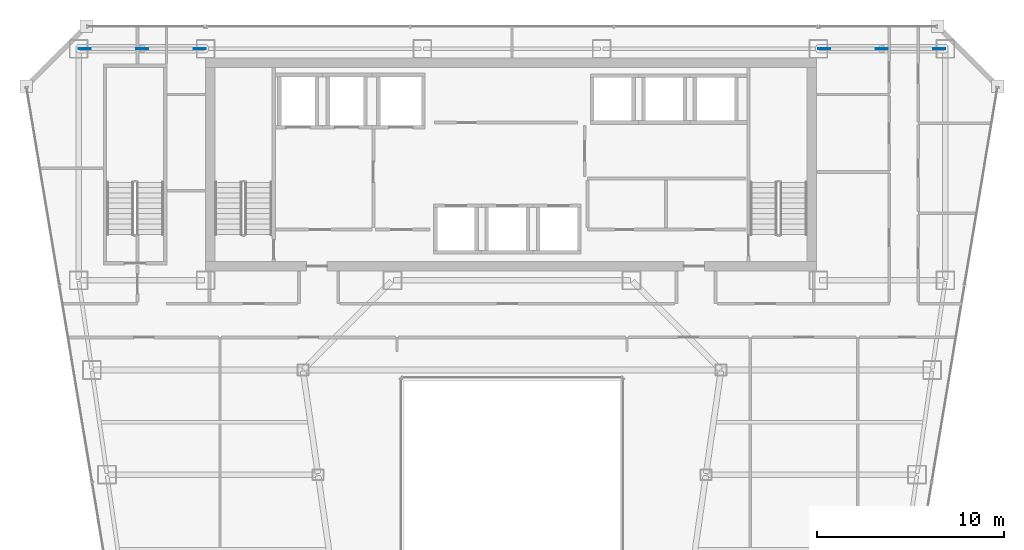
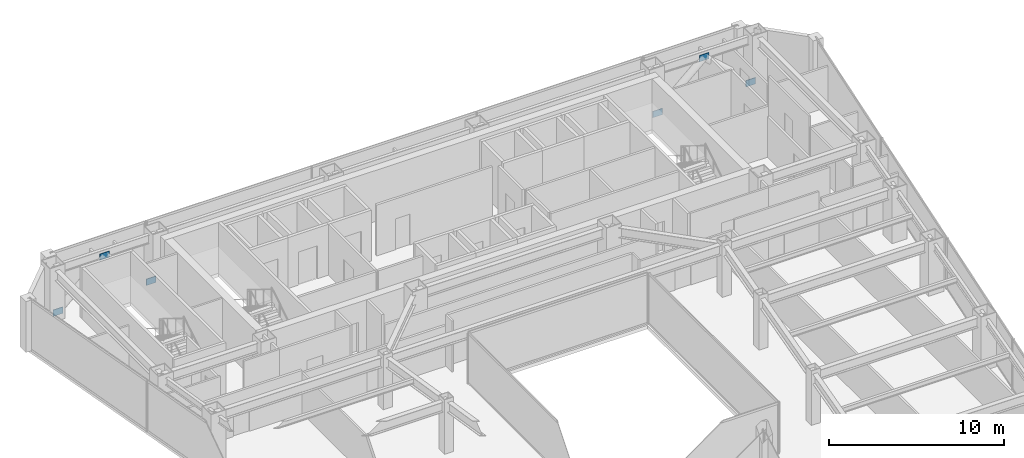
# One storey, part 30 of 36: 6 plates.
"""IFC4 building model written with IfcOpenShell, lengths in metres."""

from ifc_helpers import new_model, si_unit, direction, frame, origin, origin_2d, place, context, subcontext, project, spatial, rectangle, extrude, material, layer, layer_set, type_object, element, save


model = new_model("IFC4")

# Units and contexts
model_context = context("Model", 3, precision=1e-05, world=origin(), true_north=direction((0.0, 1.0)))
body_context = subcontext(model_context, "Body", "Model", "MODEL_VIEW")
ifc_project = project(units=[si_unit("LENGTHUNIT", "METRE"), si_unit("AREAUNIT", "SQUARE_METRE"), si_unit("VOLUMEUNIT", "CUBIC_METRE"), si_unit("PLANEANGLEUNIT", "RADIAN"), si_unit("MASSUNIT", "GRAM", prefix="KILO")], contexts=[model_context])

# Site, building, storey
site_placement = place(None, origin())
site = spatial("IfcSite", under=ifc_project, at=site_placement, CompositionType="ELEMENT")
building_placement = place(site_placement, origin())
building = spatial("IfcBuilding", under=site, at=building_placement, Name="Saevonmaru Cultural Tower", CompositionType="ELEMENT")
storey_placement = place(building_placement, frame((0.0, 0.0, 156.199951171875)))
storey = spatial("IfcBuildingStorey", under=building, at=storey_placement, Name="L34", CompositionType="ELEMENT", Elevation=156.199951171875)

# Plates
ifc_material = material(Name="Steel HSA600 (600 MPa)", Category="steel")
ifc_layer = layer(ifc_material, 0.0400390625, Name="Steel HSA600 (600 MPa)")
ifc_layer_set = layer_set([ifc_layer], Name="Steel HSA600 (600 MPa)")
plate_type = type_object("IfcPlateType", Name="PL-GUSSET-EXT", PredefinedType="USERDEFINED", material=ifc_layer_set)
for number, where, z_axis, x_axis, name in (
    (1, (10.199951171875, 54.800048828125, 2.85009765625), (0.0, 0.0, 1.0), (1.0, 0.0, 0.0), "L34 Perimeter Tube Gusset Plate"),
    (2, (7.1201171875, 54.800048828125, 0.02001953125), (0.0, 0.0, 1.0), (1.0, 0.0, 0.0), "L34 Perimeter Tube Gusset Plate"),
    (3, (13.280029296875, 54.800048828125, 0.02001953125), (0.0, 0.0, 1.0), (1.0, 0.0, 0.0), "L34 Perimeter Tube Gusset Plate"),
    (4, (49.800048828125, 54.800048828125, 2.85009765625), (0.0, 0.0, 1.0), (1.0, 0.0, 0.0), "L34 Perimeter Tube Gusset Plate"),
    (5, (46.719970703125, 54.800048828125, 0.02001953125), (0.0, 0.0, 1.0), (1.0, 0.0, 0.0), "L34 Perimeter Tube Gusset Plate"),
    (6, (52.8798828125, 54.800048828125, 0.02001953125), (0.0, 0.0, 1.0), (1.0, 0.0, 0.0), "L34 Perimeter Tube Gusset Plate"),
):
    element("IfcPlate", number, at=place(storey_placement, frame(where, z_axis=z_axis, x_axis=x_axis)), inside=storey, type_object=plate_type, Name=name, ObjectType="GUSSET_PLATE", PredefinedType="USERDEFINED", context=body_context, shape_type="SweptSolid", body=[
        extrude(rectangle(XDim=0.639892578125, YDim=0.0400390625, at=origin_2d()), origin(), (0.0, 0.0, 1.0), 0.43994140625),
    ])

save(model, "model.ifc")
